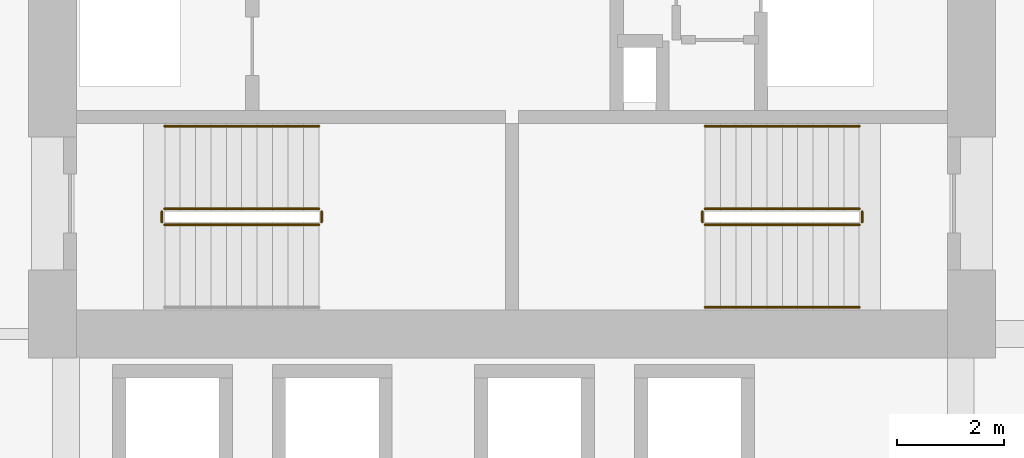
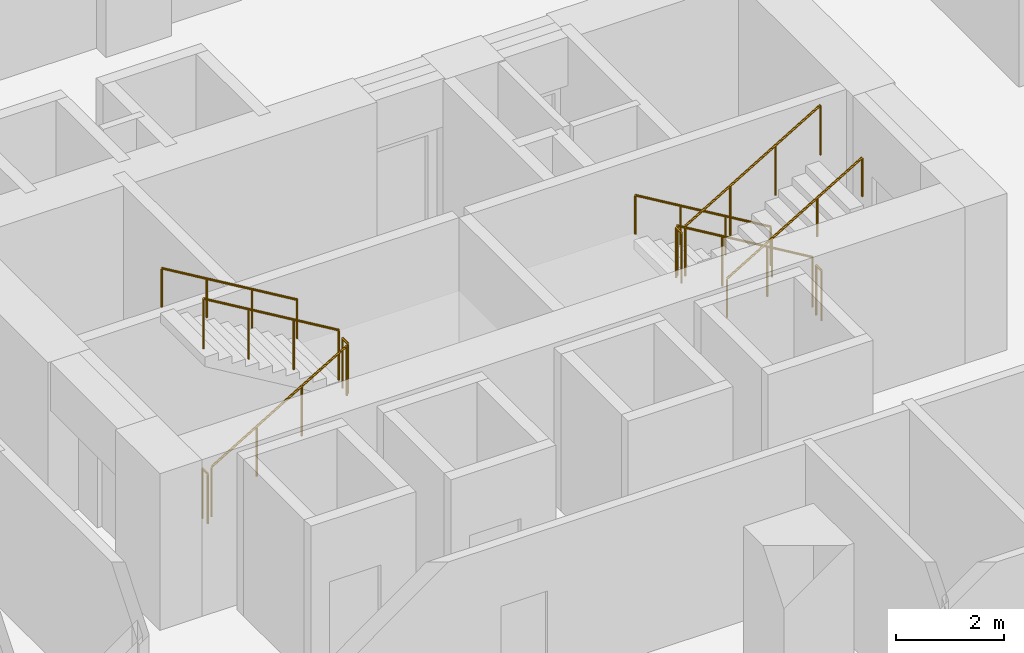
# One storey, part 25 of 27: 11 railings.
"""IFC4 building model written with IfcOpenShell, lengths in metres."""

from ifc_helpers import new_model, si_unit, direction, frame, origin, origin_2d, place, context, subcontext, project, spatial, circle, extrude, material, type_object, element, save


model = new_model("IFC4")

# Units and contexts
model_context = context("Model", 3, precision=1e-05, world=origin(), true_north=direction((0.0, 1.0)))
body_context = subcontext(model_context, "Body", "Model", "MODEL_VIEW")
ifc_project = project(units=[si_unit("LENGTHUNIT", "METRE"), si_unit("AREAUNIT", "SQUARE_METRE"), si_unit("VOLUMEUNIT", "CUBIC_METRE"), si_unit("PLANEANGLEUNIT", "RADIAN"), si_unit("MASSUNIT", "GRAM", prefix="KILO")], contexts=[model_context])

# Site, building, storey
site_placement = place(None, origin())
site = spatial("IfcSite", under=ifc_project, at=site_placement, CompositionType="ELEMENT")
building_placement = place(site_placement, origin())
building = spatial("IfcBuilding", under=site, at=building_placement, Name="Koriwani Terraces Tower", CompositionType="ELEMENT")
storey_placement = place(building_placement, frame((0.0, 0.0, 70.0)))
storey = spatial("IfcBuildingStorey", under=building, at=storey_placement, Name="L16", CompositionType="ELEMENT", Elevation=70.0)

# Railings
ifc_material = material(Name="Steel ASTM A572 Grade 50", Category="steel")
railing_type_1 = type_object("IfcRailingType", Name="GUARD_STAIR_WELL_1120", PredefinedType="GUARDRAIL", material=ifc_material)
railing_1_placement = place(storey_placement, frame((43.85009765625, 18.85009765625, 0.172607421875)))
element("IfcRailing", 1, at=railing_1_placement, inside=storey, type_object=railing_type_1, Name="L16 ST-E1 stair guard 1", PredefinedType="GUARDRAIL", context=body_context, shape_type="SweptSolid", body=[
    extrude(circle(Radius=0.02392578125, at=origin_2d()), frame((0.0, 0.0, 1.1259765625), z_axis=(0.859141464434, 0.0, 0.511738159696), x_axis=(0.0, 1.0, 0.0)), (0.0, 0.0, 1.0), 3.375244140625),
    extrude(circle(Radius=0.02099609375, at=origin_2d()), origin(), (0.0, 0.0, 1.0), 1.101806640625),
    extrude(circle(Radius=0.02099609375, at=origin_2d()), frame((0.966552734375, 0.0, 0.57568359375)), (0.0, 0.0, 1.0), 1.101806640625),
    extrude(circle(Radius=0.02099609375, at=origin_2d()), frame((1.933349609375, 0.0, 1.151611328125)), (0.0, 0.0, 1.0), 1.101806640625),
    extrude(circle(Radius=0.02099609375, at=origin_2d()), frame((2.89990234375, 0.0, 1.727294921875)), (0.0, 0.0, 1.0), 1.101806640625),
])
railing_2_placement = place(storey_placement, frame((46.800048828125, 18.89990234375, 1.89990234375)))
element("IfcRailing", 2, at=railing_2_placement, inside=storey, type_object=railing_type_1, Name="L16 ST-E1 stair guard 2", PredefinedType="GUARDRAIL", context=body_context, shape_type="SweptSolid", body=[
    extrude(circle(Radius=0.02392578125, at=origin_2d()), frame((0.0, 0.0, 1.1259765625), z_axis=(0.0, 1.0, 0.0), x_axis=(-1.0, 0.0, 0.0)), (0.0, 0.0, 1.0), 0.2001953125),
    extrude(circle(Radius=0.02099609375, at=origin_2d()), origin(), (0.0, 0.0, 1.0), 1.101806640625),
    extrude(circle(Radius=0.02099609375, at=origin_2d()), frame((0.0, 0.2001953125, 0.0)), (0.0, 0.0, 1.0), 1.101806640625),
])
railing_3_placement = place(storey_placement, frame((46.75, 19.14990234375, 2.07275390625)))
element("IfcRailing", 3, at=railing_3_placement, inside=storey, type_object=railing_type_1, Name="L16 ST-E1 stair guard 3", PredefinedType="GUARDRAIL", context=body_context, shape_type="SweptSolid", body=[
    extrude(circle(Radius=0.02392578125, at=origin_2d()), frame((0.0, 0.0, 1.1259765625), z_axis=(-0.859141464434, 0.0, 0.511738159696), x_axis=(0.0, -1.0, 0.0)), (0.0, 0.0, 1.0), 3.375244140625),
    extrude(circle(Radius=0.02099609375, at=origin_2d()), origin(), (0.0, 0.0, 1.0), 1.101806640625),
    extrude(circle(Radius=0.02099609375, at=origin_2d()), frame((-0.966552734375, 0.0, 0.57568359375)), (0.0, 0.0, 1.0), 1.101806640625),
    extrude(circle(Radius=0.02099609375, at=origin_2d()), frame((-1.933349609375, 0.0, 1.151611328125)), (0.0, 0.0, 1.0), 1.101806640625),
    extrude(circle(Radius=0.02099609375, at=origin_2d()), frame((-2.89990234375, 0.0, 1.727294921875)), (0.0, 0.0, 1.0), 1.101806640625),
])
railing_4_placement = place(storey_placement, frame((43.800048828125, 18.89990234375, 0.0)))
element("IfcRailing", 4, at=railing_4_placement, inside=storey, type_object=railing_type_1, Name="L16 ST-E1 stair guard 4", PredefinedType="GUARDRAIL", context=body_context, shape_type="SweptSolid", body=[
    extrude(circle(Radius=0.02392578125, at=origin_2d()), frame((0.0, 0.0, 1.1259765625), z_axis=(0.0, 1.0, 0.0), x_axis=(-1.0, 0.0, 0.0)), (0.0, 0.0, 1.0), 0.2001953125),
    extrude(circle(Radius=0.02099609375, at=origin_2d()), origin(), (0.0, 0.0, 1.0), 1.101806640625),
    extrude(circle(Radius=0.02099609375, at=origin_2d()), frame((0.0, 0.2001953125, 0.0)), (0.0, 0.0, 1.0), 1.101806640625),
])
railing_5_placement = place(storey_placement, frame((56.89990234375, 19.14990234375, 0.172607421875)))
element("IfcRailing", 5, at=railing_5_placement, inside=storey, type_object=railing_type_1, Name="L16 ST-E2 stair guard 1", PredefinedType="GUARDRAIL", context=body_context, shape_type="SweptSolid", body=[
    extrude(circle(Radius=0.02392578125, at=origin_2d()), frame((0.0, 0.0, 1.1259765625), z_axis=(-0.859141464434, 0.0, 0.511738159696), x_axis=(0.0, -1.0, 0.0)), (0.0, 0.0, 1.0), 3.375244140625),
    extrude(circle(Radius=0.02099609375, at=origin_2d()), origin(), (0.0, 0.0, 1.0), 1.101806640625),
    extrude(circle(Radius=0.02099609375, at=origin_2d()), frame((-0.966552734375, 0.0, 0.57568359375)), (0.0, 0.0, 1.0), 1.101806640625),
    extrude(circle(Radius=0.02099609375, at=origin_2d()), frame((-1.933349609375, 0.0, 1.151611328125)), (0.0, 0.0, 1.0), 1.101806640625),
    extrude(circle(Radius=0.02099609375, at=origin_2d()), frame((-2.89990234375, 0.0, 1.727294921875)), (0.0, 0.0, 1.0), 1.101806640625),
])
railing_6_placement = place(storey_placement, frame((53.949951171875, 19.10009765625, 1.89990234375)))
element("IfcRailing", 6, at=railing_6_placement, inside=storey, type_object=railing_type_1, Name="L16 ST-E2 stair guard 2", PredefinedType="GUARDRAIL", context=body_context, shape_type="SweptSolid", body=[
    extrude(circle(Radius=0.02392578125, at=origin_2d()), frame((0.0, 0.0, 1.1259765625), z_axis=(0.0, -1.0, 0.0), x_axis=(1.0, 0.0, 0.0)), (0.0, 0.0, 1.0), 0.2001953125),
    extrude(circle(Radius=0.02099609375, at=origin_2d()), origin(), (0.0, 0.0, 1.0), 1.101806640625),
    extrude(circle(Radius=0.02099609375, at=origin_2d()), frame((0.0, -0.2001953125, 0.0)), (0.0, 0.0, 1.0), 1.101806640625),
])
railing_7_placement = place(storey_placement, frame((54.0, 18.85009765625, 2.07275390625)))
element("IfcRailing", 7, at=railing_7_placement, inside=storey, type_object=railing_type_1, Name="L16 ST-E2 stair guard 3", PredefinedType="GUARDRAIL", context=body_context, shape_type="SweptSolid", body=[
    extrude(circle(Radius=0.02392578125, at=origin_2d()), frame((0.0, 0.0, 1.1259765625), z_axis=(0.859141464434, 0.0, 0.511738159696), x_axis=(0.0, 1.0, 0.0)), (0.0, 0.0, 1.0), 3.375244140625),
    extrude(circle(Radius=0.02099609375, at=origin_2d()), origin(), (0.0, 0.0, 1.0), 1.101806640625),
    extrude(circle(Radius=0.02099609375, at=origin_2d()), frame((0.966552734375, 0.0, 0.57568359375)), (0.0, 0.0, 1.0), 1.101806640625),
    extrude(circle(Radius=0.02099609375, at=origin_2d()), frame((1.933349609375, 0.0, 1.151611328125)), (0.0, 0.0, 1.0), 1.101806640625),
    extrude(circle(Radius=0.02099609375, at=origin_2d()), frame((2.89990234375, 0.0, 1.727294921875)), (0.0, 0.0, 1.0), 1.101806640625),
])
railing_8_placement = place(storey_placement, frame((56.949951171875, 19.10009765625, 0.0)))
element("IfcRailing", 8, at=railing_8_placement, inside=storey, type_object=railing_type_1, Name="L16 ST-E2 stair guard 4", PredefinedType="GUARDRAIL", context=body_context, shape_type="SweptSolid", body=[
    extrude(circle(Radius=0.02392578125, at=origin_2d()), frame((0.0, 0.0, 1.1259765625), z_axis=(0.0, -1.0, 0.0), x_axis=(1.0, 0.0, 0.0)), (0.0, 0.0, 1.0), 0.2001953125),
    extrude(circle(Radius=0.02099609375, at=origin_2d()), origin(), (0.0, 0.0, 1.0), 1.101806640625),
    extrude(circle(Radius=0.02099609375, at=origin_2d()), frame((0.0, -0.2001953125, 0.0)), (0.0, 0.0, 1.0), 1.101806640625),
])
railing_type_2 = type_object("IfcRailingType", Name="HANDRAIL_STAIR_920", PredefinedType="HANDRAIL", material=ifc_material)
for number, where, name in (
    (9, (46.75, 20.699951171875, 2.07275390625), "L16 ST-E1 stair handrail 2"),
    (10, (56.89990234375, 20.699951171875, 0.172607421875), "L16 ST-E2 stair handrail 1"),
):
    element("IfcRailing", number, at=place(storey_placement, frame(where)), inside=storey, type_object=railing_type_2, Name=name, PredefinedType="HANDRAIL", context=body_context, shape_type="SweptSolid", body=[
        extrude(circle(Radius=0.02392578125, at=origin_2d()), frame((0.0, 0.0, 0.8759765625), z_axis=(-0.859141464434, 0.0, 0.511738159696), x_axis=(0.0, -1.0, 0.0)), (0.0, 0.0, 1.0), 3.375244140625),
        extrude(circle(Radius=0.02099609375, at=origin_2d()), origin(), (0.0, 0.0, 1.0), 0.851806640625),
        extrude(circle(Radius=0.02099609375, at=origin_2d()), frame((-0.966552734375, 0.0, 0.57568359375)), (0.0, 0.0, 1.0), 0.851806640625),
        extrude(circle(Radius=0.02099609375, at=origin_2d()), frame((-1.933349609375, 0.0, 1.151611328125)), (0.0, 0.0, 1.0), 0.851806640625),
        extrude(circle(Radius=0.02099609375, at=origin_2d()), frame((-2.89990234375, 0.0, 1.727294921875)), (0.0, 0.0, 1.0), 0.851806640625),
    ])
railing_9_placement = place(storey_placement, frame((54.0, 17.300048828125, 2.07275390625)))
element("IfcRailing", 11, at=railing_9_placement, inside=storey, type_object=railing_type_2, Name="L16 ST-E2 stair handrail 2", PredefinedType="HANDRAIL", context=body_context, shape_type="SweptSolid", body=[
    extrude(circle(Radius=0.02392578125, at=origin_2d()), frame((0.0, 0.0, 0.8759765625), z_axis=(0.859141464434, 0.0, 0.511738159696), x_axis=(0.0, 1.0, 0.0)), (0.0, 0.0, 1.0), 3.375244140625),
    extrude(circle(Radius=0.02099609375, at=origin_2d()), origin(), (0.0, 0.0, 1.0), 0.851806640625),
    extrude(circle(Radius=0.02099609375, at=origin_2d()), frame((0.966552734375, 0.0, 0.57568359375)), (0.0, 0.0, 1.0), 0.851806640625),
    extrude(circle(Radius=0.02099609375, at=origin_2d()), frame((1.933349609375, 0.0, 1.151611328125)), (0.0, 0.0, 1.0), 0.851806640625),
    extrude(circle(Radius=0.02099609375, at=origin_2d()), frame((2.89990234375, 0.0, 1.727294921875)), (0.0, 0.0, 1.0), 0.851806640625),
])

save(model, "model.ifc")
